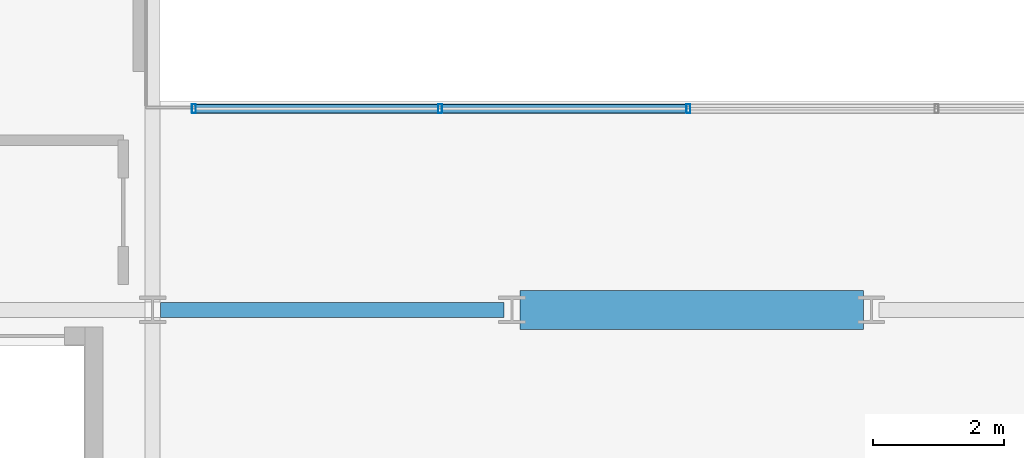
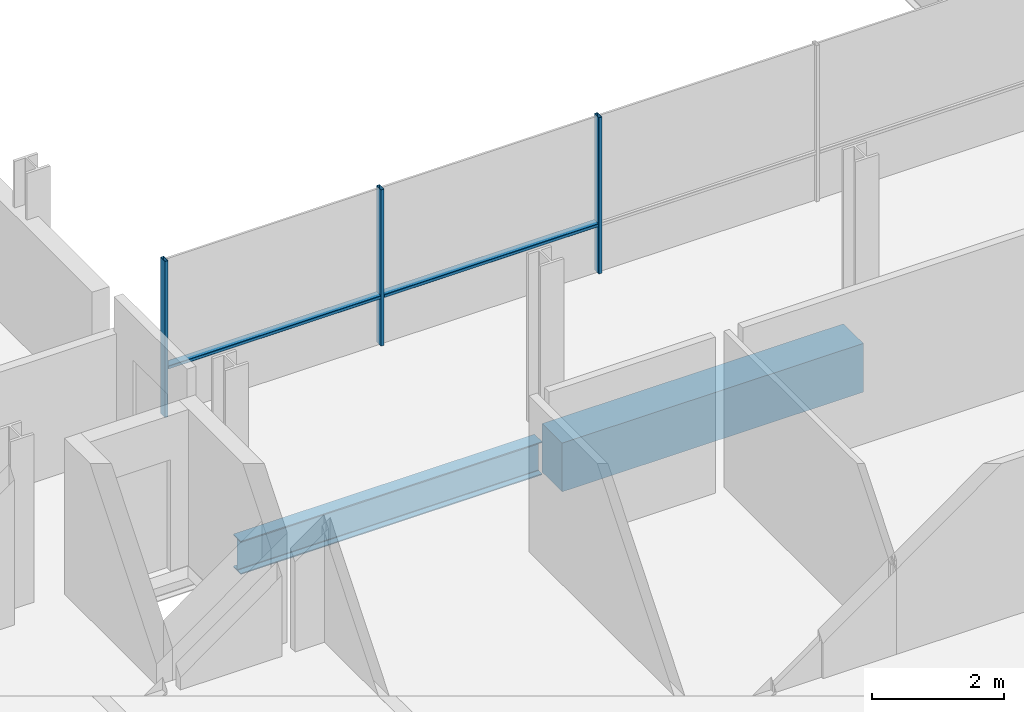
# One storey, part 4 of 39: 5 members, 2 beams, 1 element without a shape of its own.
"""IFC4 building model written with IfcOpenShell, lengths in metres."""

from ifc_helpers import new_model, si_unit, direction, frame, origin, origin_2d, place, context, subcontext, project, spatial, rectangle, hollow_rectangle, i_section, extrude, material, layer, layer_set, material_profile, profile_set, type_object, element, aggregate, save


model = new_model("IFC4")

# Units and contexts
model_context = context("Model", 3, precision=1e-05, world=origin(), true_north=direction((0.0, 1.0)))
body_context = subcontext(model_context, "Body", "Model", "MODEL_VIEW")
ifc_project = project(units=[si_unit("LENGTHUNIT", "METRE"), si_unit("AREAUNIT", "SQUARE_METRE"), si_unit("VOLUMEUNIT", "CUBIC_METRE"), si_unit("PLANEANGLEUNIT", "RADIAN"), si_unit("MASSUNIT", "GRAM", prefix="KILO")], contexts=[model_context])

# Site, building, storey
site_placement = place(None, origin())
site = spatial("IfcSite", under=ifc_project, at=site_placement, CompositionType="ELEMENT")
building_placement = place(site_placement, origin())
building = spatial("IfcBuilding", under=site, at=building_placement, Name="Brevholm Reach", CompositionType="ELEMENT")
storey_placement = place(building_placement, frame((0.0, 0.0, 109.699951171875)))
storey = spatial("IfcBuildingStorey", under=building, at=storey_placement, Name="L32", CompositionType="ELEMENT", Elevation=109.699951171875)

# Beams
ifc_material_1 = material(Name="Concrete C50/60", Category="concrete")
ifc_material_profile_1 = material_profile(ifc_material_1, rectangle(XDim=0.60009765625, YDim=0.89990234375, at=origin_2d()), Name="RC 600x900")
ifc_profile_set_1 = profile_set([ifc_material_profile_1], Name="Concrete C50/60")
beam_type_1 = type_object("IfcBeamType", Name="BM-CB600", PredefinedType="LINTEL", material=ifc_profile_set_1)
beam_1_placement = place(storey_placement, frame((27.3701171875, 10.0, -0.669921875), z_axis=(1.0, 0.0, 0.0), x_axis=(0.0, 1.0, 0.0)))
element("IfcBeam", 1, at=beam_1_placement, inside=storey, type_object=beam_type_1, Name="L32 CB-02 Framing Beam", PredefinedType="LINTEL", context=body_context, shape_type="SweptSolid", body=[
    extrude(rectangle(XDim=0.60009765625, YDim=0.89990234375, at=origin_2d()), origin(), (0.0, 0.0, 1.0), 5.259765625),
])
ifc_material_2 = material(Name="Structural Steel S355J2", Category="steel")
ifc_material_profile_2 = material_profile(ifc_material_2, i_section(OverallWidth=0.22900390625, OverallDepth=0.6123046875, WebThickness=0.011962890625, FlangeThickness=0.01953125, FilletRadius=0.0126953125, at=origin_2d()), Name="UKB 610x229x125")
ifc_profile_set_2 = profile_set([ifc_material_profile_2], Name="Structural Steel S355J2")
beam_type_2 = type_object("IfcBeamType", Name="BM-SP610", PredefinedType="SPANDREL", material=ifc_profile_set_2)
beam_2_placement = place(storey_placement, frame((21.8701171875, 10.0, -0.526123046875), z_axis=(1.0, 0.0, 0.0), x_axis=(0.0, 1.0, 0.0)))
element("IfcBeam", 2, at=beam_2_placement, inside=storey, type_object=beam_type_2, Name="L32 SP-01 Framing Beam", PredefinedType="SPANDREL", context=body_context, shape_type="SweptSolid", body=[
    extrude(i_section(OverallWidth=0.22900390625, OverallDepth=0.6123046875, WebThickness=0.011962890625, FlangeThickness=0.01953125, FilletRadius=0.0126953125, at=origin_2d()), origin(), (0.0, 0.0, 1.0), 5.259765625),
])

# Curtain wall, members
ifc_material_3 = material(Name="Dark Anodised Aluminium 6063-T6 and Solar-Control Glass", Category="aluminium")
ifc_layer = layer(ifc_material_3, 0.139892578125)
ifc_layer_set = layer_set([ifc_layer], Name="Dark Anodised Aluminium 6063-T6 and Solar-Control Glass")
curtain_wall_type = type_object("IfcCurtainWallType", Name="CW-02", PredefinedType="NOTDEFINED", material=ifc_layer_set)
curtain_wall_placement = place(storey_placement, origin())
curtain_wall = element("IfcCurtainWall", 3, at=curtain_wall_placement, inside=storey, type_object=curtain_wall_type, Name="L32 Curtain Wall CW-02", PredefinedType="NOTDEFINED")
ifc_material_4 = material(Name="Dark Anodised Aluminium 6063-T6", Category="aluminium")
ifc_material_profile_3 = material_profile(ifc_material_4, hollow_rectangle(XDim=0.06005859375, YDim=0.139892578125, WallThickness=0.0048828125, InnerFilletRadius=0.0048828125, OuterFilletRadius=0.010009765625, at=origin_2d()), Name="RHS 140x60x5")
ifc_profile_set_3 = profile_set([ifc_material_profile_3], Name="Dark Anodised Aluminium 6063-T6")
member_type_1 = type_object("IfcMemberType", Name="CWM-140", PredefinedType="MULLION", material=ifc_profile_set_3)
member_1_placement = place(storey_placement, frame((22.3798828125, 13.080078125, 0.0), z_axis=(0.0, 0.0, 1.0), x_axis=(1.0, 0.0, 0.0)))
member_1 = element("IfcMember", 4, at=member_1_placement, type_object=member_type_1, Name="CM-140 Mullion 1", PredefinedType="MULLION", context=body_context, shape_type="SweptSolid", body=[
    extrude(hollow_rectangle(XDim=0.06005859375, YDim=0.139892578125, WallThickness=0.0048828125, InnerFilletRadius=0.0048828125, OuterFilletRadius=0.010009765625, at=origin_2d()), origin(), (0.0, 0.0, 1.0), 2.880126953125),
])
member_2_placement = place(storey_placement, frame((26.14990234375, 13.080078125, 0.0), z_axis=(0.0, 0.0, 1.0), x_axis=(1.0, 0.0, 0.0)))
member_2 = element("IfcMember", 5, at=member_2_placement, type_object=member_type_1, Name="CM-140 Mullion 2", PredefinedType="MULLION", context=body_context, shape_type="SweptSolid", body=[
    extrude(hollow_rectangle(XDim=0.06005859375, YDim=0.139892578125, WallThickness=0.0048828125, InnerFilletRadius=0.0048828125, OuterFilletRadius=0.010009765625, at=origin_2d()), origin(), (0.0, 0.0, 1.0), 2.880126953125),
])
member_3_placement = place(storey_placement, frame((29.949951171875, 13.080078125, 0.0), z_axis=(0.0, 0.0, 1.0), x_axis=(1.0, 0.0, 0.0)))
member_3 = element("IfcMember", 6, at=member_3_placement, type_object=member_type_1, Name="CM-140 Mullion 3", PredefinedType="MULLION", context=body_context, shape_type="SweptSolid", body=[
    extrude(hollow_rectangle(XDim=0.06005859375, YDim=0.139892578125, WallThickness=0.0048828125, InnerFilletRadius=0.0048828125, OuterFilletRadius=0.010009765625, at=origin_2d()), origin(), (0.0, 0.0, 1.0), 2.880126953125),
])
ifc_material_5 = material(Name="Dark Anodised Aluminium 6063-T6", Category="aluminium")
ifc_material_profile_4 = material_profile(ifc_material_5, hollow_rectangle(XDim=0.06005859375, YDim=0.139892578125, WallThickness=0.0048828125, InnerFilletRadius=0.0048828125, OuterFilletRadius=0.010009765625, at=origin_2d()), Name="RHS 140x60x5")
ifc_profile_set_4 = profile_set([ifc_material_profile_4], Name="Dark Anodised Aluminium 6063-T6")
member_type_2 = type_object("IfcMemberType", Name="CWT-140", PredefinedType="NOTDEFINED", material=ifc_profile_set_4)
member_4_placement = place(storey_placement, frame((22.409912109375, 13.080078125, 0.900146484375), z_axis=(1.0, 0.0, 0.0), x_axis=(0.0, 0.0, 1.0)))
member_4 = element("IfcMember", 7, at=member_4_placement, type_object=member_type_2, Name="CT-140 Transom 1.1", ObjectType="TRANSOM", PredefinedType="USERDEFINED", context=body_context, shape_type="SweptSolid", body=[
    extrude(hollow_rectangle(XDim=0.06005859375, YDim=0.139892578125, WallThickness=0.0048828125, InnerFilletRadius=0.0048828125, OuterFilletRadius=0.010009765625, at=origin_2d()), origin(), (0.0, 0.0, 1.0), 3.710205078125),
])
member_5_placement = place(storey_placement, frame((26.179931640625, 13.080078125, 0.900146484375), z_axis=(1.0, 0.0, 0.0), x_axis=(0.0, 0.0, 1.0)))
member_5 = element("IfcMember", 8, at=member_5_placement, type_object=member_type_2, Name="CT-140 Transom 2.1", ObjectType="TRANSOM", PredefinedType="USERDEFINED", context=body_context, shape_type="SweptSolid", body=[
    extrude(hollow_rectangle(XDim=0.06005859375, YDim=0.139892578125, WallThickness=0.0048828125, InnerFilletRadius=0.0048828125, OuterFilletRadius=0.010009765625, at=origin_2d()), origin(), (0.0, 0.0, 1.0), 3.739990234375),
])
aggregate(curtain_wall, [member_1, member_2, member_3, member_4, member_5])

save(model, "model.ifc")
